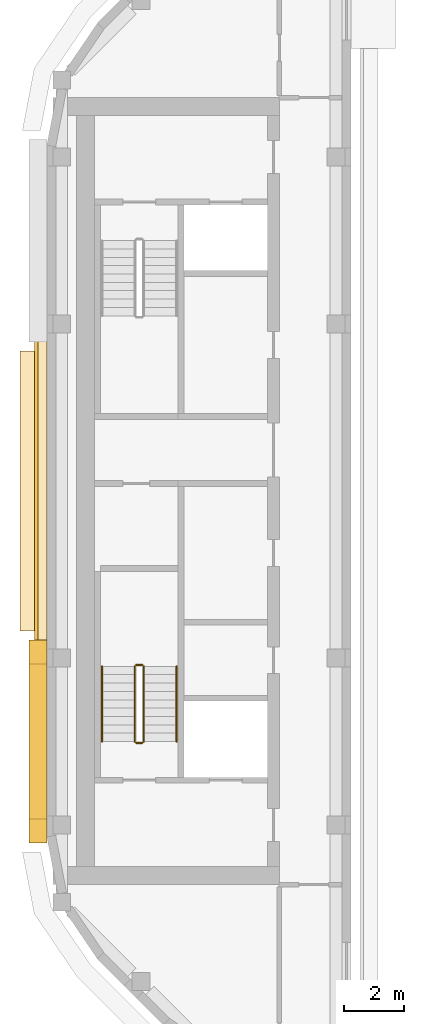
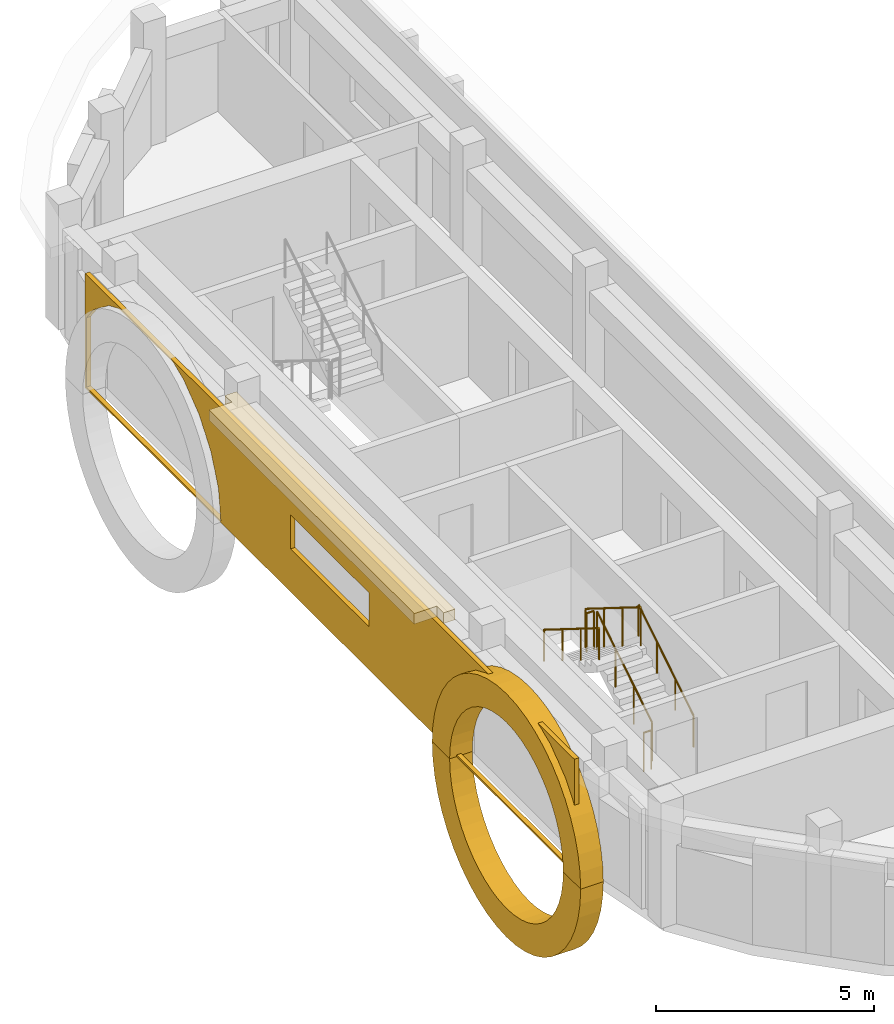
# One storey, part 6 of 12: 6 railings, 4 coverings.
"""IFC4 building model written with IfcOpenShell, lengths in metres."""

import ifcopenshell
import ifcopenshell.guid

model = None  # the IFC model being written
_history = None  # IfcOwnerHistory: only IFC2X3 demands one
_inside = {}  # id of a spatial element -> (the spatial element, [elements in it])
_under = {}  # id of a project, library or spatial element -> (it, [spatial elements below it])
_declared = {}  # id of a project -> (the project, [libraries it declares])
_typed = {}  # id of a type object -> (the type object, [elements of that type])
_made_of = {}  # id of a material, layer set ... -> (it, [elements and type objects made of it])


def new_model(schema):
    """Start an empty IFC model of exactly this schema.

    Asked for "IFC4X3", IfcOpenShell would pick the latest addendum, in which some entities
    have other attributes; the version numbers below select the first issue.
    IFC2X3 requires an IfcOwnerHistory on every rooted entity: one is made here for all.
    """
    global model, _history
    if schema == "IFC4X3":
        model = ifcopenshell.file(schema_version=(4, 3, 0, 0))
    else:
        model = ifcopenshell.file(schema=schema)
    _inside.clear()
    _under.clear()
    _declared.clear()
    _typed.clear()
    _made_of.clear()
    _history = None
    if model.schema == "IFC2X3":
        org = make("IfcOrganization", Name="unknown")
        user = make(
            "IfcPersonAndOrganization",
            ThePerson=make("IfcPerson", FamilyName="unknown"),
            TheOrganization=org,
        )
        app = make(
            "IfcApplication",
            ApplicationDeveloper=org,
            Version="unknown",
            ApplicationFullName="unknown",
            ApplicationIdentifier="unknown",
        )
        _history = make(
            "IfcOwnerHistory",
            OwningUser=user,
            OwningApplication=app,
            ChangeAction="ADDED",
            CreationDate=0,
        )
    return model


def make(cls, **values):
    """One entity of the class cls with the attributes given. An attribute that is None is left unset."""
    return model.create_entity(
        cls, **{name: value for name, value in values.items() if value is not None}
    )


def rooted(cls, **values):
    """An entity with a GlobalId (a new one), such as an element, a storey or a relation."""
    return make(cls, GlobalId=ifcopenshell.guid.new(), OwnerHistory=_history, **values)


def si_unit(unit_type, name, prefix=None):
    """IfcSIUnit, for example si_unit("LENGTHUNIT", "METRE", prefix="MILLI")."""
    return make("IfcSIUnit", UnitType=unit_type, Prefix=prefix, Name=name)


def assignment(units):
    """IfcUnitAssignment: the units of a project."""
    return None if units is None else make("IfcUnitAssignment", Units=units)


def point(xyz):
    """IfcCartesianPoint."""
    return None if xyz is None else make("IfcCartesianPoint", Coordinates=xyz)


def direction(xyz):
    """IfcDirection."""
    return None if xyz is None else make("IfcDirection", DirectionRatios=xyz)


def frame(location, z_axis=None, x_axis=None):
    """IfcAxis2Placement3D, a coordinate frame: its origin and axes. An axis left out is left unset."""
    return make(
        "IfcAxis2Placement3D",
        Location=point(location),
        Axis=direction(z_axis),
        RefDirection=direction(x_axis),
    )


def frame_2d(location, x_axis=None):
    """IfcAxis2Placement2D, a coordinate frame in the plane: its origin and x axis."""
    return make(
        "IfcAxis2Placement2D", Location=point(location), RefDirection=direction(x_axis)
    )


def origin():
    """The frame at (0, 0, 0) with its axes left unset."""
    return frame((0.0, 0.0, 0.0))


def origin_2d():
    """The frame at (0, 0) in the plane with its x axis left unset."""
    return frame_2d((0.0, 0.0))


def place(relative_to, where):
    """IfcLocalPlacement: puts the frame where relative to a parent placement (None: the world)."""
    return make(
        "IfcLocalPlacement", PlacementRelTo=relative_to, RelativePlacement=where
    )


def context(
    kind, dimensions, precision=None, world=None, true_north=None, identifier=None
):
    """IfcGeometricRepresentationContext, for example the 3D "Model" context."""
    return make(
        "IfcGeometricRepresentationContext",
        ContextIdentifier=identifier,
        ContextType=kind,
        CoordinateSpaceDimension=dimensions,
        Precision=precision,
        WorldCoordinateSystem=world,
        TrueNorth=true_north,
    )


def subcontext(parent, identifier, kind, view, scale=None):
    """IfcGeometricRepresentationSubContext, for example "Body" below "Model"."""
    return make(
        "IfcGeometricRepresentationSubContext",
        ContextIdentifier=identifier,
        ContextType=kind,
        ParentContext=parent,
        TargetScale=scale,
        TargetView=view,
    )


def project(units=None, contexts=None):
    """IfcProject with its units and contexts."""
    return rooted(
        "IfcProject",
        Name="project",
        RepresentationContexts=contexts,
        UnitsInContext=assignment(units),
    )


def spatial(cls, under=None, at=None, **own):
    """A site, building, storey or space (cls), placed at a placement, below another one or the project."""
    s = rooted(cls, ObjectPlacement=at, **own)
    if under is not None:
        _under.setdefault(under.id(), (under, []))[1].append(s)
    return s


def polyline(points):
    """IfcPolyline through the points."""
    return make("IfcPolyline", Points=[point(p) for p in points])


def profile(cls, at=None, kind="AREA", **sizes):
    """A parametric profile (cls). Its sizes go by their IFC names, for example OverallWidth=200.0."""
    return make(cls, ProfileType=kind, Position=at, **sizes)


def circle(**sizes):
    """IfcCircleProfileDef."""
    return profile("IfcCircleProfileDef", **sizes)


def outline(outer, holes=None, kind="AREA"):
    """IfcArbitraryClosedProfileDef: a profile drawn as a closed curve; with holes, ...WithVoids."""
    if holes is None:
        return make("IfcArbitraryClosedProfileDef", ProfileType=kind, OuterCurve=outer)
    return make(
        "IfcArbitraryProfileDefWithVoids",
        ProfileType=kind,
        OuterCurve=outer,
        InnerCurves=holes,
    )


def extrude(swept, where, along, depth):
    """IfcExtrudedAreaSolid: the profile swept, set in the frame where, extruded along a direction by depth."""
    return make(
        "IfcExtrudedAreaSolid",
        SweptArea=swept,
        Position=where,
        ExtrudedDirection=direction(along),
        Depth=depth,
    )


def shape(context_of_items, identifier, shape_type, items):
    """IfcShapeRepresentation: the items that make up one representation, for example the "Body"."""
    return make(
        "IfcShapeRepresentation",
        ContextOfItems=context_of_items,
        RepresentationIdentifier=identifier,
        RepresentationType=shape_type,
        Items=items,
    )


def material(Name=None, Category=None):
    """IfcMaterial."""
    return make("IfcMaterial", Name=Name, Category=Category)


def layer(
    of_material, thickness, ventilated=None, Name=None, Category=None, Priority=None
):
    """IfcMaterialLayer: one layer of a wall or slab, of a material (None: an air gap)."""
    return make(
        "IfcMaterialLayer",
        Material=of_material,
        LayerThickness=thickness,
        IsVentilated=ventilated,
        Name=Name,
        Category=Category,
        Priority=Priority,
    )


def layer_set(layers, Name=None):
    """IfcMaterialLayerSet."""
    return make("IfcMaterialLayerSet", MaterialLayers=layers, LayerSetName=Name)


def made_of(thing, what):
    """Note that an element or type object is made of a material, layer set ...; save() writes the relation."""
    if what is not None:
        _made_of.setdefault(what.id(), (what, []))[1].append(thing)
    return thing


def type_object(cls, material=None, **own):
    """A type object (cls), such as IfcWallType, which elements share."""
    return made_of(rooted(cls, **own), material)


def element(
    cls,
    number,
    at=None,
    inside=None,
    cuts=None,
    type_object=None,
    material=None,
    context=None,
    identifier="Body",
    shape_type=None,
    held_by="IfcProductDefinitionShape",
    body=None,
    shapes=None,
    **own,
):
    """One element of the class cls, such as IfcWall. Its Tag is "e" and its number.

    at: its placement. inside: the storey or other place that contains it. cuts: it is an
    opening in that element (IfcRelVoidsElement). A single representation is given by context,
    identifier, shape_type and body (its items); several are given by shapes. held_by: the class
    of the entity that holds the representations. save() writes the other relations.
    """
    e = rooted(cls, Tag="e%d" % number, ObjectPlacement=at, **own)
    if body is not None:
        shapes = [shape(context, identifier, shape_type, body)]
    if shapes is not None:
        e.Representation = make(held_by, Representations=shapes)
    if inside is not None:
        _inside.setdefault(inside.id(), (inside, []))[1].append(e)
    if cuts is not None:
        rooted(
            "IfcRelVoidsElement", RelatingBuildingElement=cuts, RelatedOpeningElement=e
        )
    if type_object is not None:
        _typed.setdefault(type_object.id(), (type_object, []))[1].append(e)
    return made_of(e, material)


def aggregate(whole, parts):
    """IfcRelAggregates: a whole, such as a stair, and the parts it consists of."""
    return rooted("IfcRelAggregates", RelatingObject=whole, RelatedObjects=parts)


def save(model, path):
    """Write the relations noted so far, then the file.

    IfcRelAggregates (storeys below a building ...), IfcRelContainedInSpatialStructure (elements
    in a storey), IfcRelDefinesByType, IfcRelAssociatesMaterial and IfcRelDeclares: one each for
    every whole, place, type object, material and project.
    """
    for whole, parts in _under.values():
        aggregate(whole, parts)
    for where, things in _inside.values():
        rooted(
            "IfcRelContainedInSpatialStructure",
            RelatedElements=things,
            RelatingStructure=where,
        )
    for kind, things in _typed.values():
        rooted("IfcRelDefinesByType", RelatedObjects=things, RelatingType=kind)
    for what, things in _made_of.values():
        rooted("IfcRelAssociatesMaterial", RelatedObjects=things, RelatingMaterial=what)
    for by, libraries in _declared.values():
        rooted("IfcRelDeclares", RelatingContext=by, RelatedDefinitions=libraries)
    model.write(path)


model = new_model("IFC4")

# Units and contexts
model_context = context("Model", 3, precision=1e-05, world=origin(), true_north=direction((0.0, 1.0)))
body_context = subcontext(model_context, "Body", "Model", "MODEL_VIEW")
ifc_project = project(units=[si_unit("LENGTHUNIT", "METRE"), si_unit("AREAUNIT", "SQUARE_METRE"), si_unit("VOLUMEUNIT", "CUBIC_METRE"), si_unit("PLANEANGLEUNIT", "RADIAN"), si_unit("MASSUNIT", "GRAM", prefix="KILO")], contexts=[model_context])

# Site, building, storey
site_placement = place(None, origin())
site = spatial("IfcSite", under=ifc_project, at=site_placement, CompositionType="ELEMENT")
building_placement = place(site_placement, origin())
building = spatial("IfcBuilding", under=site, at=building_placement, Name="Kiln Ring Residences", CompositionType="ELEMENT")
storey_placement = place(building_placement, frame((0.0, 0.0, 310.39990234375)))
storey = spatial("IfcBuildingStorey", under=building, at=storey_placement, Name="L80 Crown", CompositionType="ELEMENT", Elevation=310.39990234375)

# Railings
ifc_material_1 = material(Name="Stainless steel", Category="steel")
railing_type_1 = type_object("IfcRailingType", Name="CORE-STAIR-GUARD", PredefinedType="GUARDRAIL", material=ifc_material_1)
railing_1_placement = place(storey_placement, frame((-21.949951171875, -8.39990234375, 0.175048828125)))
element("IfcRailing", 1, at=railing_1_placement, inside=storey, type_object=railing_type_1, Name="L80 Crown W-STS stair guard 1", PredefinedType="GUARDRAIL", context=body_context, shape_type="SweptSolid", body=[
    extrude(circle(Radius=0.02392578125, at=origin_2d()), frame((0.0, 0.0, 1.076171875), z_axis=(0.0, 0.848007534815, 0.529984170421), x_axis=(-1.0, 0.0, 0.0)), (0.0, 0.0, 1.0), 2.9716796875),
    extrude(circle(Radius=0.02099609375, at=origin_2d()), origin(), (0.0, 0.0, 1.0), 1.052001953125),
    extrude(circle(Radius=0.02099609375, at=origin_2d()), frame((0.0, 0.840087890625, 0.52490234375)), (0.0, 0.0, 1.0), 1.052001953125),
    extrude(circle(Radius=0.02099609375, at=origin_2d()), frame((0.0, 1.679931640625, 1.050048828125)), (0.0, 0.0, 1.0), 1.052001953125),
    extrude(circle(Radius=0.02099609375, at=origin_2d()), frame((0.0, 2.52001953125, 1.574951171875)), (0.0, 0.0, 1.0), 1.052001953125),
])
railing_2_placement = place(storey_placement, frame((-22.0, -5.830078125, 1.75)))
element("IfcRailing", 2, at=railing_2_placement, inside=storey, type_object=railing_type_1, Name="L80 Crown W-STS stair guard 2", PredefinedType="GUARDRAIL", context=body_context, shape_type="SweptSolid", body=[
    extrude(circle(Radius=0.02392578125, at=origin_2d()), frame((0.0, 0.0, 1.076171875), z_axis=(-1.0, 0.0, 0.0), x_axis=(0.0, -1.0, 0.0)), (0.0, 0.0, 1.0), 0.199951171875),
    extrude(circle(Radius=0.02099609375, at=origin_2d()), origin(), (0.0, 0.0, 1.0), 1.052001953125),
    extrude(circle(Radius=0.02099609375, at=origin_2d()), frame((-0.199951171875, 0.0, 0.0)), (0.0, 0.0, 1.0), 1.052001953125),
])
railing_3_placement = place(storey_placement, frame((-22.25, -5.8798828125, 1.925048828125)))
element("IfcRailing", 3, at=railing_3_placement, inside=storey, type_object=railing_type_1, Name="L80 Crown W-STS stair guard 3", PredefinedType="GUARDRAIL", context=body_context, shape_type="SweptSolid", body=[
    extrude(circle(Radius=0.02392578125, at=origin_2d()), frame((0.0, 0.0, 1.076171875), z_axis=(0.0, -0.848007534815, 0.529984170421), x_axis=(1.0, 0.0, 0.0)), (0.0, 0.0, 1.0), 2.9716796875),
    extrude(circle(Radius=0.02099609375, at=origin_2d()), origin(), (0.0, 0.0, 1.0), 1.052001953125),
    extrude(circle(Radius=0.02099609375, at=origin_2d()), frame((0.0, -0.840087890625, 0.52490234375)), (0.0, 0.0, 1.0), 1.052001953125),
    extrude(circle(Radius=0.02099609375, at=origin_2d()), frame((0.0, -1.679931640625, 1.050048828125)), (0.0, 0.0, 1.0), 1.052001953125),
    extrude(circle(Radius=0.02099609375, at=origin_2d()), frame((0.0, -2.52001953125, 1.574951171875)), (0.0, 0.0, 1.0), 1.052001953125),
])
railing_4_placement = place(storey_placement, frame((-22.0, -8.449951171875, 0.0)))
element("IfcRailing", 4, at=railing_4_placement, inside=storey, type_object=railing_type_1, Name="L80 Crown W-STS stair guard 4", PredefinedType="GUARDRAIL", context=body_context, shape_type="SweptSolid", body=[
    extrude(circle(Radius=0.02392578125, at=origin_2d()), frame((0.0, 0.0, 1.076171875), z_axis=(-1.0, 0.0, 0.0), x_axis=(0.0, -1.0, 0.0)), (0.0, 0.0, 1.0), 0.199951171875),
    extrude(circle(Radius=0.02099609375, at=origin_2d()), origin(), (0.0, 0.0, 1.0), 1.052001953125),
    extrude(circle(Radius=0.02099609375, at=origin_2d()), frame((-0.199951171875, 0.0, 0.0)), (0.0, 0.0, 1.0), 1.052001953125),
])
ifc_material_2 = material(Name="Stainless steel", Category="steel")
railing_type_2 = type_object("IfcRailingType", Name="CORE-STAIR-HANDRAIL", PredefinedType="HANDRAIL", material=ifc_material_2)
railing_5_placement = place(storey_placement, frame((-20.85009765625, -8.39990234375, 0.175048828125)))
element("IfcRailing", 5, at=railing_5_placement, inside=storey, type_object=railing_type_2, Name="L80 Crown W-STS stair handrail 1", PredefinedType="HANDRAIL", context=body_context, shape_type="SweptSolid", body=[
    extrude(circle(Radius=0.02392578125, at=origin_2d()), frame((0.0, 0.0, 0.8759765625), z_axis=(0.0, 0.848007534815, 0.529984170421), x_axis=(-1.0, 0.0, 0.0)), (0.0, 0.0, 1.0), 2.9716796875),
    extrude(circle(Radius=0.02099609375, at=origin_2d()), origin(), (0.0, 0.0, 1.0), 0.851806640625),
    extrude(circle(Radius=0.02099609375, at=origin_2d()), frame((0.0, 0.840087890625, 0.52490234375)), (0.0, 0.0, 1.0), 0.851806640625),
    extrude(circle(Radius=0.02099609375, at=origin_2d()), frame((0.0, 1.679931640625, 1.050048828125)), (0.0, 0.0, 1.0), 0.851806640625),
    extrude(circle(Radius=0.02099609375, at=origin_2d()), frame((0.0, 2.52001953125, 1.574951171875)), (0.0, 0.0, 1.0), 0.851806640625),
])
railing_6_placement = place(storey_placement, frame((-23.35009765625, -5.8798828125, 1.925048828125)))
element("IfcRailing", 6, at=railing_6_placement, inside=storey, type_object=railing_type_2, Name="L80 Crown W-STS stair handrail 2", PredefinedType="HANDRAIL", context=body_context, shape_type="SweptSolid", body=[
    extrude(circle(Radius=0.02392578125, at=origin_2d()), frame((0.0, 0.0, 0.8759765625), z_axis=(0.0, -0.848007534815, 0.529984170421), x_axis=(1.0, 0.0, 0.0)), (0.0, 0.0, 1.0), 2.9716796875),
    extrude(circle(Radius=0.02099609375, at=origin_2d()), origin(), (0.0, 0.0, 1.0), 0.851806640625),
    extrude(circle(Radius=0.02099609375, at=origin_2d()), frame((0.0, -0.840087890625, 0.52490234375)), (0.0, 0.0, 1.0), 0.851806640625),
    extrude(circle(Radius=0.02099609375, at=origin_2d()), frame((0.0, -1.679931640625, 1.050048828125)), (0.0, 0.0, 1.0), 0.851806640625),
    extrude(circle(Radius=0.02099609375, at=origin_2d()), frame((0.0, -2.52001953125, 1.574951171875)), (0.0, 0.0, 1.0), 0.851806640625),
])

# Coverings
ifc_material_3 = material(Name="Brick masonry, dark clay brick", Category="masonry")
ifc_layer_1 = layer(ifc_material_3, 0.1201171875)
ifc_layer_set_1 = layer_set([ifc_layer_1], Name="RAINSCREEN PANEL 120")
covering_type_1 = type_object("IfcCoveringType", Name="RAINSCREEN PANEL 120", PredefinedType="CLADDING", material=ifc_layer_set_1)
covering_1_placement = place(storey_placement, frame((-25.56005859375, 11.199951171875, 0.0), z_axis=(0.0, 0.0, 1.0), x_axis=(0.0, -1.0, 0.0)))
element("IfcCovering", 7, at=covering_1_placement, inside=storey, type_object=covering_type_1, Name="RAINSCREEN L80 Crown", PredefinedType="CLADDING", context=body_context, shape_type="SweptSolid", body=[
    extrude(outline(polyline([(0.0, 0.0), (22.39990234375, 0.0), (22.39990234375, 3.2001953125), (0.0, 3.2001953125), (0.0, 0.0)]), holes=[polyline([(0.381591796875, 2.41845703125), (0.050048828125, 1.986083984375), (0.050048828125, 0.050048828125), (6.21337890625, 0.050048828125), (6.103515625, 0.88525390625), (5.76171875, 1.710205078125), (5.21826171875, 2.41845703125), (4.510009765625, 2.9619140625), (4.0556640625, 3.150146484375), (1.544189453125, 3.150146484375), (1.090087890625, 2.9619140625), (0.381591796875, 2.41845703125)]), polyline([(16.29638671875, 0.88525390625), (16.1865234375, 0.050048828125), (22.35009765625, 0.050048828125), (22.35009765625, 1.986083984375), (22.018310546875, 2.41845703125), (21.31005859375, 2.9619140625), (20.855712890625, 3.150146484375), (18.34423828125, 3.150146484375), (17.889892578125, 2.9619140625), (17.181640625, 2.41845703125), (16.63818359375, 1.710205078125), (16.29638671875, 0.88525390625)]), polyline([(9.39990234375, 1.2001953125), (13.0, 1.2001953125), (13.0, 2.150146484375), (9.39990234375, 2.150146484375), (9.39990234375, 1.2001953125)])]), frame((0.0, 0.06005859375, 0.0), z_axis=(0.0, -1.0, 0.0), x_axis=(1.0, 0.0, 0.0)), (0.0, 0.0, 1.0), 0.1201171875),
])
ifc_material_4 = material(Name="Concrete C35/45, exposed aggregate finish", Category="concrete")
covering_type_2 = type_object("IfcCoveringType", Name="ROUNDEL RING 600", PredefinedType="CLADDING", material=ifc_material_4)
covering_2_placement = place(storey_placement, frame((-25.5, -11.800048828125, 0.0), z_axis=(0.0, 0.0, 1.0), x_axis=(0.0, 1.0, 0.0)))
element("IfcCovering", 8, at=covering_2_placement, inside=storey, type_object=covering_type_2, Name="ROUNDEL RING L80 Crown", PredefinedType="CLADDING", context=body_context, shape_type="SweptSolid", body=[
    extrude(outline(polyline([(6.800048828125, 0.0), (6.77099609375, 0.44384765625), (6.68408203125, 0.880126953125), (6.541259765625, 1.30126953125), (6.344482421875, 1.7001953125), (6.097412109375, 2.06982421875), (5.80419921875, 2.404296875), (5.4697265625, 2.697509765625), (5.10009765625, 2.944580078125), (4.701171875, 3.141357421875), (4.280029296875, 3.2841796875), (3.84375, 3.37109375), (3.39990234375, 3.400146484375), (2.956298828125, 3.37109375), (2.52001953125, 3.2841796875), (2.098876953125, 3.141357421875), (1.699951171875, 2.944580078125), (1.330078125, 2.697509765625), (0.995849609375, 2.404296875), (0.70263671875, 2.06982421875), (0.45556640625, 1.7001953125), (0.2587890625, 1.30126953125), (0.115966796875, 0.880126953125), (0.029052734375, 0.44384765625), (0.0, 0.0), (0.800048828125, 0.0), (0.822265625, 0.339599609375), (0.888671875, 0.673095703125), (0.997802734375, 0.9951171875), (1.148193359375, 1.300048828125), (1.33740234375, 1.5830078125), (1.5615234375, 1.838623046875), (1.817138671875, 2.062744140625), (2.10009765625, 2.251708984375), (2.405029296875, 2.402099609375), (2.72705078125, 2.511474609375), (3.060546875, 2.577880859375), (3.39990234375, 2.60009765625), (3.739501953125, 2.577880859375), (4.072998046875, 2.511474609375), (4.39501953125, 2.402099609375), (4.699951171875, 2.251708984375), (4.98291015625, 2.062744140625), (5.238525390625, 1.838623046875), (5.462646484375, 1.5830078125), (5.651611328125, 1.300048828125), (5.802001953125, 0.9951171875), (5.911376953125, 0.673095703125), (5.977783203125, 0.339599609375), (6.0, 0.0), (6.800048828125, 0.0)])), frame((0.0, 0.300048828125, 0.0), z_axis=(0.0, -1.0, 0.0), x_axis=(1.0, 0.0, 0.0)), (0.0, 0.0, 1.0), 0.60009765625),
])
covering_3_placement = place(storey_placement, frame((-25.5, -11.800048828125, -3.39990234375), z_axis=(0.0, 0.0, 1.0), x_axis=(0.0, 1.0, 0.0)))
element("IfcCovering", 9, at=covering_3_placement, inside=storey, type_object=covering_type_2, Name="ROUNDEL RING L80 Crown", PredefinedType="CLADDING", context=body_context, shape_type="SweptSolid", body=[
    extrude(outline(polyline([(0.0, 3.39990234375), (0.029052734375, 2.956298828125), (0.115966796875, 2.52001953125), (0.2587890625, 2.098876953125), (0.45556640625, 1.699951171875), (0.70263671875, 1.330078125), (0.995849609375, 0.995849609375), (1.330078125, 0.70263671875), (1.699951171875, 0.45556640625), (2.098876953125, 0.2587890625), (2.52001953125, 0.115966796875), (2.956298828125, 0.029052734375), (3.39990234375, 0.0), (3.84375, 0.029052734375), (4.280029296875, 0.115966796875), (4.701171875, 0.2587890625), (5.10009765625, 0.45556640625), (5.4697265625, 0.70263671875), (5.80419921875, 0.995849609375), (6.097412109375, 1.330078125), (6.344482421875, 1.699951171875), (6.541259765625, 2.098876953125), (6.68408203125, 2.52001953125), (6.77099609375, 2.956298828125), (6.800048828125, 3.39990234375), (6.0, 3.39990234375), (5.977783203125, 3.060546875), (5.911376953125, 2.72705078125), (5.802001953125, 2.405029296875), (5.651611328125, 2.10009765625), (5.462646484375, 1.817138671875), (5.238525390625, 1.5615234375), (4.98291015625, 1.33740234375), (4.699951171875, 1.148193359375), (4.39501953125, 0.997802734375), (4.072998046875, 0.888671875), (3.739501953125, 0.822265625), (3.39990234375, 0.800048828125), (3.060546875, 0.822265625), (2.72705078125, 0.888671875), (2.405029296875, 0.997802734375), (2.10009765625, 1.148193359375), (1.817138671875, 1.33740234375), (1.5615234375, 1.5615234375), (1.33740234375, 1.817138671875), (1.148193359375, 2.10009765625), (0.997802734375, 2.405029296875), (0.888671875, 2.72705078125), (0.822265625, 3.060546875), (0.800048828125, 3.39990234375), (0.0, 3.39990234375)])), frame((0.0, 0.300048828125, 0.0), z_axis=(0.0, -1.0, 0.0), x_axis=(1.0, 0.0, 0.0)), (0.0, 0.0, 1.0), 0.60009765625),
])
ifc_material_5 = material(Name="Black powder-coated steel", Category="steel")
ifc_layer_2 = layer(ifc_material_5, 0.300048828125)
ifc_layer_set_2 = layer_set([ifc_layer_2], Name="SUNSHADE FIN 600")
covering_type_3 = type_object("IfcCoveringType", Name="SUNSHADE FIN 600", PredefinedType="CLADDING", material=ifc_layer_set_2)
covering_4_placement = place(storey_placement, frame((0.0, 0.0, 3.2001953125)))
element("IfcCovering", 10, at=covering_4_placement, inside=storey, type_object=covering_type_3, Name="SUNSHADE FIN L80 Crown", PredefinedType="CLADDING", context=body_context, shape_type="SweptSolid", body=[
    extrude(outline(polyline([(-26.10009765625, -4.699951171875), (-25.5, -4.699951171875), (-25.5, -5.010009765625), (-25.199951171875, -5.010009765625), (-25.199951171875, 5.010009765625), (-25.5, 5.010009765625), (-25.5, 4.699951171875), (-26.10009765625, 4.699951171875), (-26.10009765625, -4.699951171875)])), origin(), (0.0, 0.0, 1.0), 0.2998046875),
])

save(model, "model.ifc")
